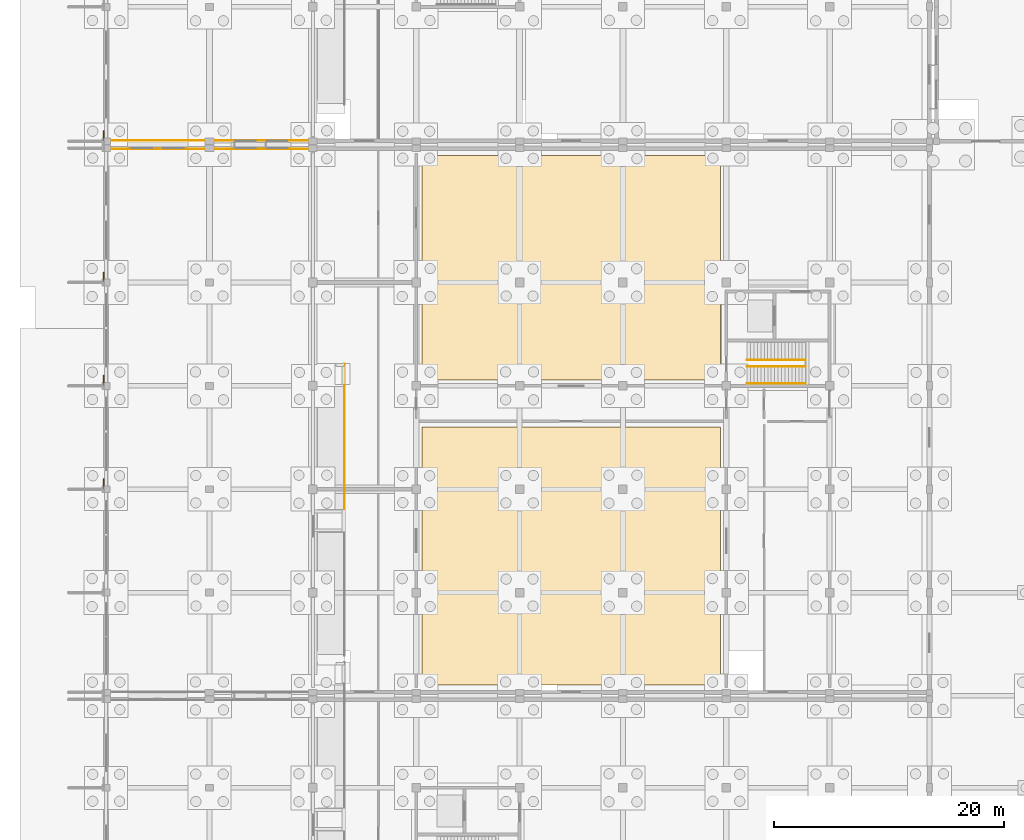
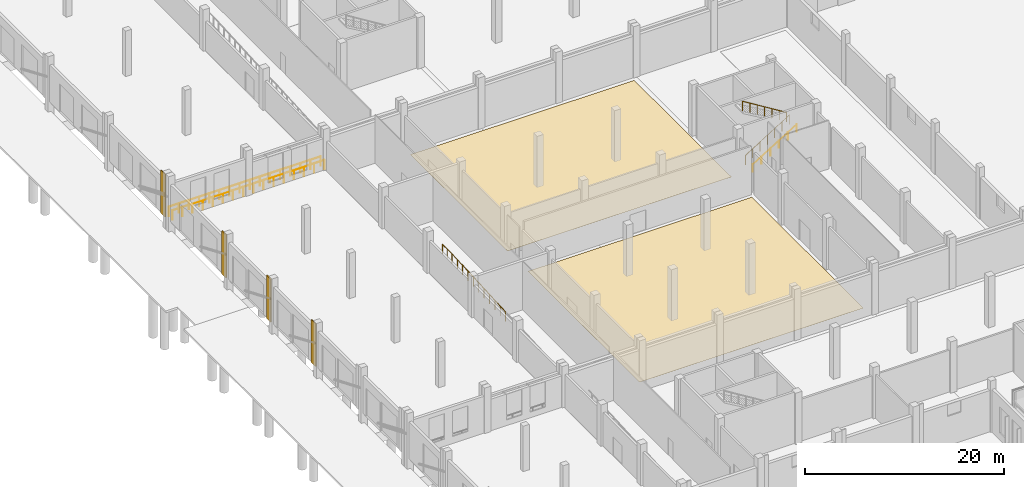
# One storey, part 84 of 99: 6 coverings, 6 railings.
"""IFC4 building model written with IfcOpenShell, lengths in metres."""

from ifc_helpers import new_model, si_unit, direction, frame, origin, origin_2d, place, context, subcontext, project, spatial, polyline, rectangle, circle, outline, extrude, material, layer, layer_set, type_object, element, save


model = new_model("IFC4")

# Units and contexts
model_context = context("Model", 3, precision=1e-05, world=origin(), true_north=direction((0.0, 1.0)))
body_context = subcontext(model_context, "Body", "Model", "MODEL_VIEW")
ifc_project = project(units=[si_unit("LENGTHUNIT", "METRE"), si_unit("AREAUNIT", "SQUARE_METRE"), si_unit("VOLUMEUNIT", "CUBIC_METRE"), si_unit("PLANEANGLEUNIT", "RADIAN"), si_unit("MASSUNIT", "GRAM", prefix="KILO")], contexts=[model_context])

# Site, building, storey
site_placement = place(None, origin())
site = spatial("IfcSite", under=ifc_project, at=site_placement, CompositionType="ELEMENT")
building_placement = place(site_placement, origin())
building = spatial("IfcBuilding", under=site, at=building_placement, Name="Zacnel Wholesale Market", CompositionType="ELEMENT")
storey_placement = place(building_placement, origin())
storey = spatial("IfcBuildingStorey", under=building, at=storey_placement, Name="L01", CompositionType="ELEMENT", Elevation=0.0)

# Coverings
ifc_material_1 = material(Name="Honed Yucatan Maya cream limestone", Category="masonry")
ifc_layer_1 = layer(ifc_material_1, 0.090087890625)
ifc_layer_set_1 = layer_set([ifc_layer_1], Name="Honed Yucatan Maya cream limestone")
covering_type_1 = type_object("IfcCoveringType", Name="COV-CLAD-FRET", PredefinedType="CLADDING", material=ifc_layer_set_1)
for number, where, z_axis, x_axis, name in (
    (1, (-0.2099609375, 66.47998046875, 1.2451171875), (0.0, 0.0, 1.0), (0.0, 1.0, 0.0), "Fluted Mayan-Deco limestone pilaster L01-0007"),
    (2, (-0.2099609375, 75.47998046875, 1.2451171875), (0.0, 0.0, 1.0), (0.0, 1.0, 0.0), "Fluted Mayan-Deco limestone pilaster L01-0008"),
    (3, (-0.2099609375, 84.47998046875, 1.2451171875), (0.0, 0.0, 1.0), (0.0, 1.0, 0.0), "Fluted Mayan-Deco limestone pilaster L01-0009"),
    (4, (-0.2099609375, 96.780029296875, 1.2451171875), (0.0, 0.0, 1.0), (0.0, 1.0, 0.0), "Fluted Mayan-Deco limestone pilaster L01-0012"),
):
    element("IfcCovering", number, at=place(storey_placement, frame(where, z_axis=z_axis, x_axis=x_axis)), inside=storey, type_object=covering_type_1, Name=name, PredefinedType="CLADDING", context=body_context, shape_type="SweptSolid", body=[
        extrude(rectangle(XDim=0.85009765625, YDim=0.1201171875, at=origin_2d()), origin(), (0.0, 0.0, 1.0), 5.27490234375),
    ])
ifc_material_2 = material(Name="Food-grade epoxy resin flooring")
ifc_layer_2 = layer(ifc_material_2, 0.011962890625)
ifc_layer_set_2 = layer_set([ifc_layer_2], Name="Food-grade epoxy resin flooring")
covering_type_2 = type_object("IfcCoveringType", Name="COV-FLR-EPOXY-12", PredefinedType="FLOORING", material=ifc_layer_set_2)
covering_1_placement = place(storey_placement, origin())
element("IfcCovering", 5, at=covering_1_placement, inside=storey, type_object=covering_type_2, Name="Hygienic epoxy floor finish L01-310", PredefinedType="FLOORING", context=body_context, shape_type="SweptSolid", body=[
    extrude(outline(polyline([(27.5, 48.949951171875), (53.5, 48.949951171875), (53.5, 71.39990234375), (27.5, 71.39990234375), (27.5, 48.949951171875)])), origin(), (0.0, 0.0, 1.0), 0.011962890625),
])
covering_2_placement = place(storey_placement, origin())
element("IfcCovering", 6, at=covering_2_placement, inside=storey, type_object=covering_type_2, Name="Hygienic epoxy floor finish L01-311", PredefinedType="FLOORING", context=body_context, shape_type="SweptSolid", body=[
    extrude(outline(polyline([(27.5, 75.5), (53.5, 75.5), (53.5, 95.050048828125), (27.5, 95.050048828125), (27.5, 75.5)])), origin(), (0.0, 0.0, 1.0), 0.011962890625),
])

# Railings
ifc_material_3 = material(Name="Galvanized steel", Category="steel")
railing_type_1 = type_object("IfcRailingType", Name="RAL-HANDRAIL-920", PredefinedType="HANDRAIL", material=ifc_material_3)
railing_1_placement = place(storey_placement, frame((55.81005859375, 75.2099609375, 0.0)))
element("IfcRailing", 7, at=railing_1_placement, inside=storey, type_object=railing_type_1, Name="Stair ST-09 wall handrail", PredefinedType="HANDRAIL", context=body_context, shape_type="SweptSolid", body=[
    extrude(circle(Radius=0.02099609375, at=origin_2d()), frame((0.0, 0.0, 0.89892578125), z_axis=(0.850798532938, 0.0, 0.525492013594), x_axis=(0.0, 1.0, 0.0)), (0.0, 0.0, 1.0), 5.994140625),
    extrude(circle(Radius=0.01806640625, at=origin_2d()), origin(), (0.0, 0.0, 1.0), 0.8779296875),
    extrude(circle(Radius=0.01806640625, at=origin_2d()), frame((1.02001953125, 0.0, 0.6298828125)), (0.0, 0.0, 1.0), 0.8779296875),
    extrude(circle(Radius=0.01806640625, at=origin_2d()), frame((2.0400390625, 0.0, 1.260009765625)), (0.0, 0.0, 1.0), 0.8779296875),
    extrude(circle(Radius=0.01806640625, at=origin_2d()), frame((3.059814453125, 0.0, 1.889892578125)), (0.0, 0.0, 1.0), 0.8779296875),
    extrude(circle(Radius=0.01806640625, at=origin_2d()), frame((4.079833984375, 0.0, 2.52001953125)), (0.0, 0.0, 1.0), 0.8779296875),
    extrude(circle(Radius=0.01806640625, at=origin_2d()), frame((5.099853515625, 0.0, 3.14990234375)), (0.0, 0.0, 1.0), 0.8779296875),
])
ifc_material_4 = material(Name="Galvanized steel", Category="steel")
railing_type_2 = type_object("IfcRailingType", Name="RAL-STAIR-GD1150", PredefinedType="BALUSTRADE", material=ifc_material_4)
railing_2_placement = place(storey_placement, frame((55.81005859375, 76.699951171875, 0.0)))
element("IfcRailing", 8, at=railing_2_placement, inside=storey, type_object=railing_type_2, Name="Stair balustrade INT-STAIR-ST-09-GDIN-1", PredefinedType="BALUSTRADE", context=body_context, shape_type="SweptSolid", body=[
    extrude(circle(Radius=0.02392578125, at=origin_2d()), frame((0.0, 0.0, 1.1259765625), z_axis=(0.850798532938, 0.0, 0.525492013594), x_axis=(0.0, 1.0, 0.0)), (0.0, 0.0, 1.0), 5.994140625),
    extrude(circle(Radius=0.02099609375, at=origin_2d()), origin(), (0.0, 0.0, 1.0), 1.101806640625),
    extrude(circle(Radius=0.02099609375, at=origin_2d()), frame((0.85009765625, 0.0, 0.52490234375)), (0.0, 0.0, 1.0), 1.101806640625),
    extrude(circle(Radius=0.02099609375, at=origin_2d()), frame((1.699951171875, 0.0, 1.050048828125)), (0.0, 0.0, 1.0), 1.101806640625),
    extrude(circle(Radius=0.02099609375, at=origin_2d()), frame((2.5498046875, 0.0, 1.574951171875)), (0.0, 0.0, 1.0), 1.101806640625),
    extrude(circle(Radius=0.02099609375, at=origin_2d()), frame((3.39990234375, 0.0, 2.099853515625)), (0.0, 0.0, 1.0), 1.101806640625),
    extrude(circle(Radius=0.02099609375, at=origin_2d()), frame((4.25, 0.0, 2.625)), (0.0, 0.0, 1.0), 1.101806640625),
    extrude(circle(Radius=0.02099609375, at=origin_2d()), frame((5.099853515625, 0.0, 3.14990234375)), (0.0, 0.0, 1.0), 1.101806640625),
])
railing_3_placement = place(storey_placement, frame((60.909912109375, 77.25, 3.14990234375)))
element("IfcRailing", 9, at=railing_3_placement, inside=storey, type_object=railing_type_2, Name="Stair balustrade INT-STAIR-ST-09-GDIN-3", PredefinedType="BALUSTRADE", context=body_context, shape_type="SweptSolid", body=[
    extrude(circle(Radius=0.02392578125, at=origin_2d()), frame((0.0, 0.0, 1.1259765625), z_axis=(-0.850780323153, 0.0, 0.525521495028), x_axis=(0.0, -1.0, 0.0)), (0.0, 0.0, 1.0), 5.994384765625),
    extrude(circle(Radius=0.02099609375, at=origin_2d()), origin(), (0.0, 0.0, 1.0), 1.101806640625),
    extrude(circle(Radius=0.02099609375, at=origin_2d()), frame((-0.85009765625, 0.0, 0.52490234375)), (0.0, 0.0, 1.0), 1.101806640625),
    extrude(circle(Radius=0.02099609375, at=origin_2d()), frame((-1.699951171875, 0.0, 1.050048828125)), (0.0, 0.0, 1.0), 1.101806640625),
    extrude(circle(Radius=0.02099609375, at=origin_2d()), frame((-2.5498046875, 0.0, 1.5751953125)), (0.0, 0.0, 1.0), 1.101806640625),
    extrude(circle(Radius=0.02099609375, at=origin_2d()), frame((-3.39990234375, 0.0, 2.10009765625)), (0.0, 0.0, 1.0), 1.101806640625),
    extrude(circle(Radius=0.02099609375, at=origin_2d()), frame((-4.25, 0.0, 2.625)), (0.0, 0.0, 1.0), 1.101806640625),
    extrude(circle(Radius=0.02099609375, at=origin_2d()), frame((-5.099853515625, 0.0, 3.150146484375)), (0.0, 0.0, 1.0), 1.101806640625),
])
railing_4_placement = place(storey_placement, frame((20.75, 64.199951171875, 0.612548828125)))
element("IfcRailing", 10, at=railing_4_placement, inside=storey, type_object=railing_type_2, Name="Accessible ramp RP-01 (RMP-DOCK-M) guard 2", PredefinedType="BALUSTRADE", context=body_context, shape_type="SweptSolid", body=[
    extrude(circle(Radius=0.02392578125, at=origin_2d()), frame((0.0, 0.0, 1.1259765625), z_axis=(0.0, 0.998395448202, 0.05662622193), x_axis=(-1.0, 0.0, 0.0)), (0.0, 0.0, 1.0), 10.8173828125),
    extrude(circle(Radius=0.02392578125, at=origin_2d()), frame((0.0, 10.800048828125, 1.73828125), z_axis=(0.0, 1.0, 0.0), x_axis=(-1.0, 0.0, 0.0)), (0.0, 0.0, 1.0), 1.89990234375),
    extrude(circle(Radius=0.02099609375, at=origin_2d()), origin(), (0.0, 0.0, 1.0), 1.101806640625),
    extrude(circle(Radius=0.02099609375, at=origin_2d()), frame((0.0, 1.080078125, 0.061279296875)), (0.0, 0.0, 1.0), 1.101806640625),
    extrude(circle(Radius=0.02099609375, at=origin_2d()), frame((0.0, 2.159912109375, 0.12255859375)), (0.0, 0.0, 1.0), 1.101806640625),
    extrude(circle(Radius=0.02099609375, at=origin_2d()), frame((0.0, 3.239990234375, 0.183837890625)), (0.0, 0.0, 1.0), 1.101806640625),
    extrude(circle(Radius=0.02099609375, at=origin_2d()), frame((0.0, 4.320068359375, 0.2451171875)), (0.0, 0.0, 1.0), 1.101806640625),
    extrude(circle(Radius=0.02099609375, at=origin_2d()), frame((0.0, 5.39990234375, 0.30615234375)), (0.0, 0.0, 1.0), 1.101806640625),
    extrude(circle(Radius=0.02099609375, at=origin_2d()), frame((0.0, 6.47998046875, 0.367431640625)), (0.0, 0.0, 1.0), 1.101806640625),
    extrude(circle(Radius=0.02099609375, at=origin_2d()), frame((0.0, 7.56005859375, 0.4287109375)), (0.0, 0.0, 1.0), 1.101806640625),
    extrude(circle(Radius=0.02099609375, at=origin_2d()), frame((0.0, 8.64013671875, 0.489990234375)), (0.0, 0.0, 1.0), 1.101806640625),
    extrude(circle(Radius=0.02099609375, at=origin_2d()), frame((0.0, 9.719970703125, 0.55126953125)), (0.0, 0.0, 1.0), 1.101806640625),
    extrude(circle(Radius=0.02099609375, at=origin_2d()), frame((0.0, 10.800048828125, 0.612548828125)), (0.0, 0.0, 1.0), 1.101806640625),
    extrude(circle(Radius=0.02099609375, at=origin_2d()), frame((0.0, 11.75, 0.612548828125)), (0.0, 0.0, 1.0), 1.101806640625),
    extrude(circle(Radius=0.02099609375, at=origin_2d()), frame((0.0, 12.699951171875, 0.612548828125)), (0.0, 0.0, 1.0), 1.101806640625),
])
ifc_material_5 = material(Name="Steel S355", Category="steel")
ifc_layer_3 = layer(ifc_material_5, 0.080078125)
ifc_layer_set_3 = layer_set([ifc_layer_3], Name="Steel S355")
railing_type_3 = type_object("IfcRailingType", Name="RL-BAL-1150", PredefinedType="BALUSTRADE", material=ifc_layer_set_3)
railing_5_placement = place(storey_placement, frame((0.199951171875, 95.639892578125, 1.22509765625)))
element("IfcRailing", 11, at=railing_5_placement, inside=storey, type_object=railing_type_3, Name="Terrace safety balustrade GD-DOCK-N1", PredefinedType="BALUSTRADE", context=body_context, shape_type="SweptSolid", body=[
    extrude(circle(Radius=0.02392578125, at=origin_2d()), frame((0.0, 0.0, 1.1259765625), z_axis=(1.0, 0.0, 0.0), x_axis=(0.0, 1.0, 0.0)), (0.0, 0.0, 1.0), 17.650146484375),
    extrude(circle(Radius=0.02099609375, at=origin_2d()), origin(), (0.0, 0.0, 1.0), 1.101806640625),
    extrude(circle(Radius=0.02099609375, at=origin_2d()), frame((1.1767578125, 0.0, 0.0)), (0.0, 0.0, 1.0), 1.101806640625),
    extrude(circle(Radius=0.02099609375, at=origin_2d()), frame((2.353271484375, 0.0, 0.0)), (0.0, 0.0, 1.0), 1.101806640625),
    extrude(circle(Radius=0.02099609375, at=origin_2d()), frame((3.530029296875, 0.0, 0.0)), (0.0, 0.0, 1.0), 1.101806640625),
    extrude(circle(Radius=0.02099609375, at=origin_2d()), frame((4.706787109375, 0.0, 0.0)), (0.0, 0.0, 1.0), 1.101806640625),
    extrude(circle(Radius=0.02099609375, at=origin_2d()), frame((5.88330078125, 0.0, 0.0)), (0.0, 0.0, 1.0), 1.101806640625),
    extrude(circle(Radius=0.02099609375, at=origin_2d()), frame((7.06005859375, 0.0, 0.0)), (0.0, 0.0, 1.0), 1.101806640625),
    extrude(circle(Radius=0.02099609375, at=origin_2d()), frame((8.23681640625, 0.0, 0.0)), (0.0, 0.0, 1.0), 1.101806640625),
    extrude(circle(Radius=0.02099609375, at=origin_2d()), frame((9.413330078125, 0.0, 0.0)), (0.0, 0.0, 1.0), 1.101806640625),
    extrude(circle(Radius=0.02099609375, at=origin_2d()), frame((10.590087890625, 0.0, 0.0)), (0.0, 0.0, 1.0), 1.101806640625),
    extrude(circle(Radius=0.02099609375, at=origin_2d()), frame((11.766845703125, 0.0, 0.0)), (0.0, 0.0, 1.0), 1.101806640625),
    extrude(circle(Radius=0.02099609375, at=origin_2d()), frame((12.943359375, 0.0, 0.0)), (0.0, 0.0, 1.0), 1.101806640625),
    extrude(circle(Radius=0.02099609375, at=origin_2d()), frame((14.1201171875, 0.0, 0.0)), (0.0, 0.0, 1.0), 1.101806640625),
    extrude(circle(Radius=0.02099609375, at=origin_2d()), frame((15.296875, 0.0, 0.0)), (0.0, 0.0, 1.0), 1.101806640625),
    extrude(circle(Radius=0.02099609375, at=origin_2d()), frame((16.473388671875, 0.0, 0.0)), (0.0, 0.0, 1.0), 1.101806640625),
    extrude(circle(Radius=0.02099609375, at=origin_2d()), frame((17.650146484375, 0.0, 0.0)), (0.0, 0.0, 1.0), 1.101806640625),
])
railing_6_placement = place(storey_placement, frame((0.199951171875, 96.360107421875, 1.22509765625)))
element("IfcRailing", 12, at=railing_6_placement, inside=storey, type_object=railing_type_3, Name="Terrace safety balustrade GD-DOCK-N2", PredefinedType="BALUSTRADE", context=body_context, shape_type="SweptSolid", body=[
    extrude(circle(Radius=0.02392578125, at=origin_2d()), frame((0.0, 0.0, 1.1259765625), z_axis=(1.0, 0.0, 0.0), x_axis=(0.0, 1.0, 0.0)), (0.0, 0.0, 1.0), 17.650146484375),
    extrude(circle(Radius=0.02099609375, at=origin_2d()), origin(), (0.0, 0.0, 1.0), 1.101806640625),
    extrude(circle(Radius=0.02099609375, at=origin_2d()), frame((1.1767578125, 0.0, 0.0)), (0.0, 0.0, 1.0), 1.101806640625),
    extrude(circle(Radius=0.02099609375, at=origin_2d()), frame((2.353271484375, 0.0, 0.0)), (0.0, 0.0, 1.0), 1.101806640625),
    extrude(circle(Radius=0.02099609375, at=origin_2d()), frame((3.530029296875, 0.0, 0.0)), (0.0, 0.0, 1.0), 1.101806640625),
    extrude(circle(Radius=0.02099609375, at=origin_2d()), frame((4.706787109375, 0.0, 0.0)), (0.0, 0.0, 1.0), 1.101806640625),
    extrude(circle(Radius=0.02099609375, at=origin_2d()), frame((5.88330078125, 0.0, 0.0)), (0.0, 0.0, 1.0), 1.101806640625),
    extrude(circle(Radius=0.02099609375, at=origin_2d()), frame((7.06005859375, 0.0, 0.0)), (0.0, 0.0, 1.0), 1.101806640625),
    extrude(circle(Radius=0.02099609375, at=origin_2d()), frame((8.23681640625, 0.0, 0.0)), (0.0, 0.0, 1.0), 1.101806640625),
    extrude(circle(Radius=0.02099609375, at=origin_2d()), frame((9.413330078125, 0.0, 0.0)), (0.0, 0.0, 1.0), 1.101806640625),
    extrude(circle(Radius=0.02099609375, at=origin_2d()), frame((10.590087890625, 0.0, 0.0)), (0.0, 0.0, 1.0), 1.101806640625),
    extrude(circle(Radius=0.02099609375, at=origin_2d()), frame((11.766845703125, 0.0, 0.0)), (0.0, 0.0, 1.0), 1.101806640625),
    extrude(circle(Radius=0.02099609375, at=origin_2d()), frame((12.943359375, 0.0, 0.0)), (0.0, 0.0, 1.0), 1.101806640625),
    extrude(circle(Radius=0.02099609375, at=origin_2d()), frame((14.1201171875, 0.0, 0.0)), (0.0, 0.0, 1.0), 1.101806640625),
    extrude(circle(Radius=0.02099609375, at=origin_2d()), frame((15.296875, 0.0, 0.0)), (0.0, 0.0, 1.0), 1.101806640625),
    extrude(circle(Radius=0.02099609375, at=origin_2d()), frame((16.473388671875, 0.0, 0.0)), (0.0, 0.0, 1.0), 1.101806640625),
    extrude(circle(Radius=0.02099609375, at=origin_2d()), frame((17.650146484375, 0.0, 0.0)), (0.0, 0.0, 1.0), 1.101806640625),
])

save(model, "model.ifc")
